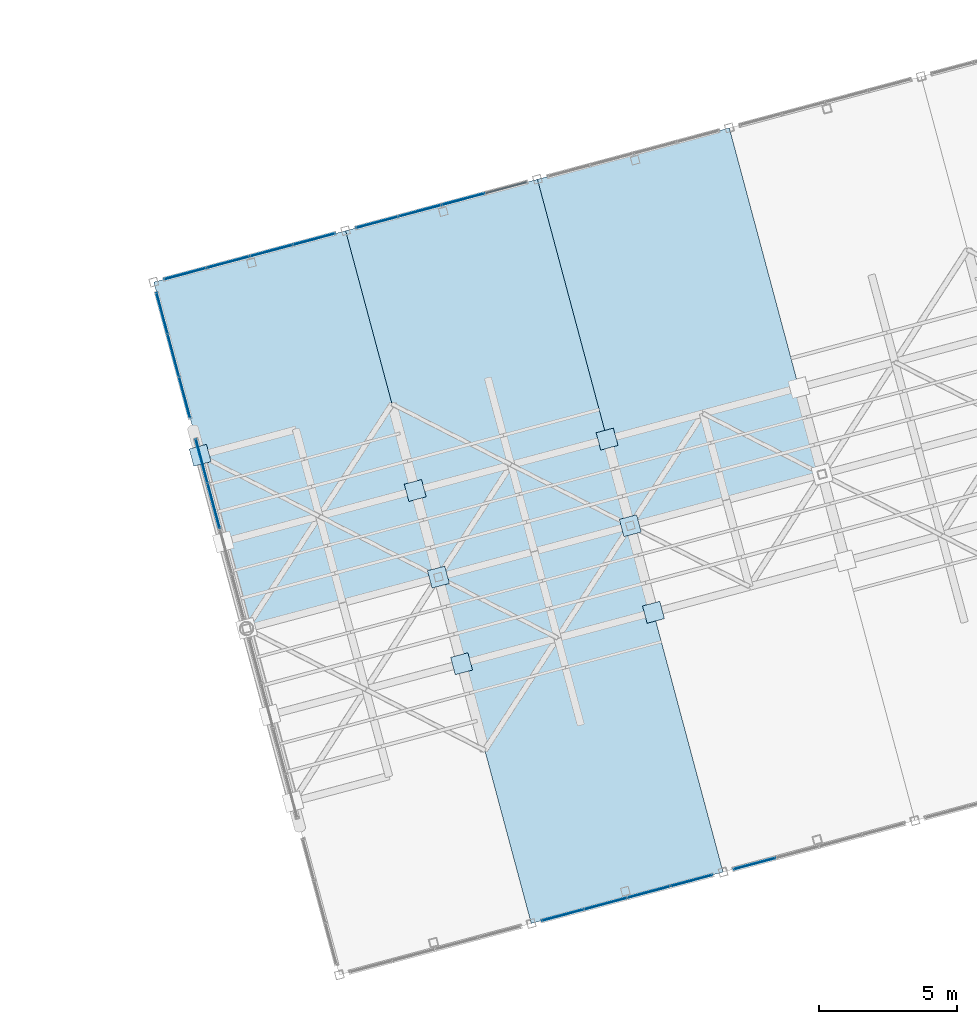
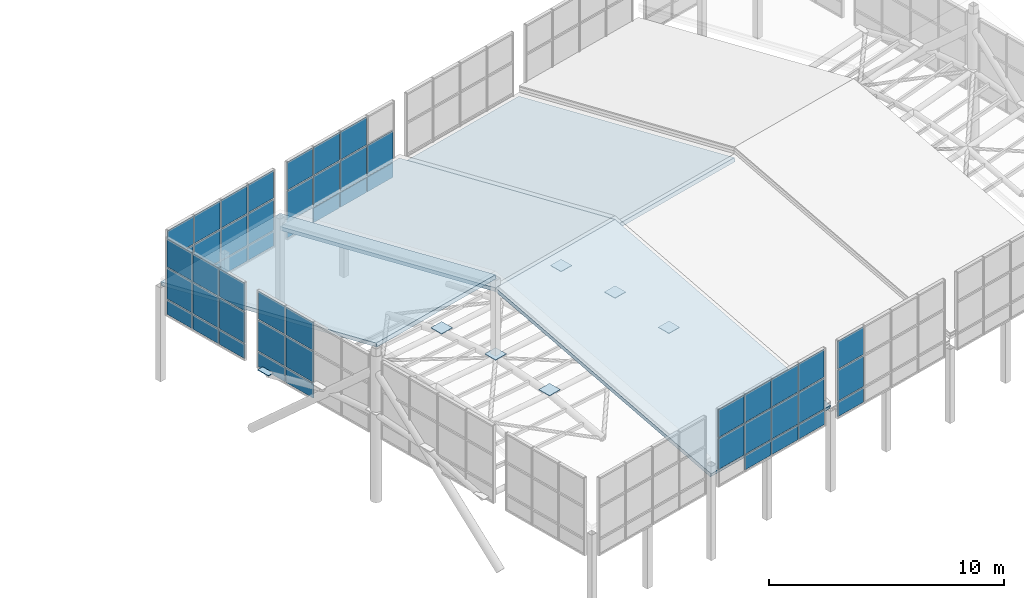
# One storey, part 24 of 28: 59 plates, 4 slabs, 6 elements without a shape of their own.
"""IFC4 building model written with IfcOpenShell, lengths in metres."""

from ifc_helpers import new_model, si_unit, direction, frame, origin, origin_2d, place, context, subcontext, project, spatial, polyline, rectangle, outline, extrude, material, layer, layer_set, type_object, element, aggregate, save


model = new_model("IFC4")

# Units and contexts
model_context = context("Model", 3, precision=1e-05, world=origin(), true_north=direction((0.0, 1.0)))
body_context = subcontext(model_context, "Body", "Model", "MODEL_VIEW")
ifc_project = project(units=[si_unit("LENGTHUNIT", "METRE"), si_unit("AREAUNIT", "SQUARE_METRE"), si_unit("VOLUMEUNIT", "CUBIC_METRE"), si_unit("PLANEANGLEUNIT", "RADIAN"), si_unit("MASSUNIT", "GRAM", prefix="KILO")], contexts=[model_context])

# Site, building, storey
site_placement = place(None, origin())
site = spatial("IfcSite", under=ifc_project, at=site_placement, CompositionType="ELEMENT")
building_placement = place(site_placement, origin())
building = spatial("IfcBuilding", under=site, at=building_placement, Name="Ventoquebrada Cableway Terminal", CompositionType="ELEMENT")
storey_placement = place(building_placement, frame((0.0, 0.0, 23.39990234375)))
storey = spatial("IfcBuildingStorey", under=building, at=storey_placement, Name="RF", CompositionType="ELEMENT", Elevation=23.39990234375)

# Curtain wall, plates
ifc_material_1 = material(Name="Anodized thermally-broken aluminium", Category="aluminium")
ifc_layer_1 = layer(ifc_material_1, 0.159912109375)
ifc_layer_set_1 = layer_set([ifc_layer_1], Name="Anodized thermally-broken aluminium")
curtain_wall_type_1 = type_object("IfcCurtainWallType", Name="CW-T48", PredefinedType="USERDEFINED", material=ifc_layer_set_1)
curtain_wall_1_placement = place(storey_placement, origin())
curtain_wall_1 = element("IfcCurtainWall", 1, at=curtain_wall_1_placement, inside=storey, type_object=curtain_wall_type_1, Name="Unitised glazed curtain wall CW-152", ObjectType="UNITISED CURTAIN WALL", PredefinedType="USERDEFINED")
ifc_material_2 = material(Name="Double low-e laminated safety glazing", Category="glass")
ifc_layer_2 = layer(ifc_material_2, 0.031982421875)
ifc_layer_set_2 = layer_set([ifc_layer_2], Name="Double low-e laminated safety glazing")
plate_type_1 = type_object("IfcPlateType", Name="CWP-GL1", PredefinedType="CURTAIN_PANEL", material=ifc_layer_set_2)
plate_1_placement = place(storey_placement, frame((60.072998046875, 71.952880859375, 2.48876953125), z_axis=(0.0, 0.0, 1.0), x_axis=(0.965894198369, 0.258937053273, 0.0)))
plate_1 = element("IfcPlate", 2, at=plate_1_placement, type_object=plate_type_1, Name="Vision glazing panel PN-1557", PredefinedType="CURTAIN_PANEL", context=body_context, shape_type="SweptSolid", body=[
    extrude(rectangle(XDim=1.5458984375, YDim=0.031982421875, at=origin_2d()), origin(), (0.0, 0.0, 1.0), 1.447021484375),
])
plate_2_placement = place(storey_placement, frame((61.6259765625, 72.368896484375, 0.82470703125), z_axis=(0.0, 0.0, 1.0), x_axis=(0.965894198369, 0.258937053273, 0.0)))
plate_2 = element("IfcPlate", 3, at=plate_2_placement, type_object=plate_type_1, Name="Vision glazing panel PN-1559", PredefinedType="CURTAIN_PANEL", context=body_context, shape_type="SweptSolid", body=[
    extrude(rectangle(XDim=1.5810546875, YDim=0.031982421875, at=origin_2d()), origin(), (0.0, 0.0, 1.0), 1.60498046875),
])
plate_3_placement = place(storey_placement, frame((63.194091796875, 72.7900390625, 2.48876953125), z_axis=(0.0, 0.0, 1.0), x_axis=(0.965894198369, 0.258937053273, 0.0)))
plate_3 = element("IfcPlate", 4, at=plate_3_placement, type_object=plate_type_1, Name="Vision glazing panel PN-1563", PredefinedType="CURTAIN_PANEL", context=body_context, shape_type="SweptSolid", body=[
    extrude(rectangle(XDim=1.5810546875, YDim=0.031982421875, at=origin_2d()), origin(), (0.0, 0.0, 1.0), 1.447021484375),
])
plate_4_placement = place(storey_placement, frame((64.748046875, 73.2060546875, 0.82470703125), z_axis=(0.0, 0.0, 1.0), x_axis=(0.965894198369, 0.258937053273, 0.0)))
plate_4 = element("IfcPlate", 5, at=plate_4_placement, type_object=plate_type_1, Name="Vision glazing panel PN-1565", PredefinedType="CURTAIN_PANEL", context=body_context, shape_type="SweptSolid", body=[
    extrude(rectangle(XDim=1.5458984375, YDim=0.031982421875, at=origin_2d()), origin(), (0.0, 0.0, 1.0), 1.60498046875),
])

# Curtain wall, plate
curtain_wall_2_placement = place(storey_placement, origin())
curtain_wall_2 = element("IfcCurtainWall", 6, at=curtain_wall_2_placement, inside=storey, type_object=curtain_wall_type_1, Name="Unitised glazed curtain wall CW-153", ObjectType="UNITISED CURTAIN WALL", PredefinedType="USERDEFINED")
plate_5_placement = place(storey_placement, frame((67.027099609375, 73.81689453125, 2.48876953125), z_axis=(0.0, 0.0, 1.0), x_axis=(0.965943892913, 0.258751610128, 0.0)))
plate_5 = element("IfcPlate", 7, at=plate_5_placement, type_object=plate_type_1, Name="Vision glazing panel PN-1569", PredefinedType="CURTAIN_PANEL", context=body_context, shape_type="SweptSolid", body=[
    extrude(rectangle(XDim=1.5458984375, YDim=0.031982421875, at=origin_2d()), origin(), (0.0, 0.0, 1.0), 1.447021484375),
])

# Curtain wall, plates
curtain_wall_3_placement = place(storey_placement, origin())
curtain_wall_3 = element("IfcCurtainWall", 8, at=curtain_wall_3_placement, inside=storey, type_object=curtain_wall_type_1, Name="Unitised glazed curtain wall CW-156", ObjectType="UNITISED CURTAIN WALL", PredefinedType="USERDEFINED")
plate_6_placement = place(storey_placement, frame((51.06396484375, 96.4560546875, 2.48876953125), z_axis=(0.0, 0.0, 1.0), x_axis=(-0.96593486019, -0.258785327773, 0.0)))
plate_6 = element("IfcPlate", 9, at=plate_6_placement, type_object=plate_type_1, Name="Vision glazing panel PN-1605", PredefinedType="CURTAIN_PANEL", context=body_context, shape_type="SweptSolid", body=[
    extrude(rectangle(XDim=1.5458984375, YDim=0.031982421875, at=origin_2d()), origin(), (0.0, 0.0, 1.0), 1.447021484375),
])
plate_7_placement = place(storey_placement, frame((49.510986328125, 96.0400390625, 0.82470703125), z_axis=(0.0, 0.0, 1.0), x_axis=(-0.96593486019, -0.258785327773, 0.0)))
plate_7 = element("IfcPlate", 10, at=plate_7_placement, type_object=plate_type_1, Name="Vision glazing panel PN-1607", PredefinedType="CURTAIN_PANEL", context=body_context, shape_type="SweptSolid", body=[
    extrude(rectangle(XDim=1.5810546875, YDim=0.031982421875, at=origin_2d()), origin(), (0.0, 0.0, 1.0), 1.60498046875),
])
plate_8_placement = place(storey_placement, frame((47.94091796875, 95.6201171875, 2.48876953125), z_axis=(0.0, 0.0, 1.0), x_axis=(-0.96593486019, -0.258785327773, 0.0)))
plate_8 = element("IfcPlate", 11, at=plate_8_placement, type_object=plate_type_1, Name="Vision glazing panel PN-1611", PredefinedType="CURTAIN_PANEL", context=body_context, shape_type="SweptSolid", body=[
    extrude(rectangle(XDim=1.5810546875, YDim=0.031982421875, at=origin_2d()), origin(), (0.0, 0.0, 1.0), 1.447021484375),
])
plate_9_placement = place(storey_placement, frame((46.388916015625, 95.2041015625, 0.82470703125), z_axis=(0.0, 0.0, 1.0), x_axis=(-0.96593486019, -0.258785327773, 0.0)))
plate_9 = element("IfcPlate", 12, at=plate_9_placement, type_object=plate_type_1, Name="Vision glazing panel PN-1613", PredefinedType="CURTAIN_PANEL", context=body_context, shape_type="SweptSolid", body=[
    extrude(rectangle(XDim=1.5458984375, YDim=0.031982421875, at=origin_2d()), origin(), (0.0, 0.0, 1.0), 1.60498046875),
])

curtain_wall_4_placement = place(storey_placement, origin())
curtain_wall_4 = element("IfcCurtainWall", 13, at=curtain_wall_4_placement, inside=storey, type_object=curtain_wall_type_1, Name="Unitised glazed curtain wall CW-157", ObjectType="UNITISED CURTAIN WALL", PredefinedType="USERDEFINED")
plate_10_placement = place(storey_placement, frame((56.465087890625, 97.904052734375, 0.82470703125), z_axis=(0.0, 0.0, 1.0), x_axis=(-0.965903236389, -0.258903337047, 0.0)))
plate_10 = element("IfcPlate", 14, at=plate_10_placement, type_object=plate_type_1, Name="Vision glazing panel PN-1619", PredefinedType="CURTAIN_PANEL", context=body_context, shape_type="SweptSolid", body=[
    extrude(rectangle(XDim=1.5810546875, YDim=0.031982421875, at=origin_2d()), origin(), (0.0, 0.0, 1.0), 1.60498046875),
])
plate_11_placement = place(storey_placement, frame((54.89501953125, 97.48291015625, 2.48876953125), z_axis=(0.0, 0.0, 1.0), x_axis=(-0.965903236389, -0.258903337047, 0.0)))
plate_11 = element("IfcPlate", 15, at=plate_11_placement, type_object=plate_type_1, Name="Vision glazing panel PN-1623", PredefinedType="CURTAIN_PANEL", context=body_context, shape_type="SweptSolid", body=[
    extrude(rectangle(XDim=1.5810546875, YDim=0.031982421875, at=origin_2d()), origin(), (0.0, 0.0, 1.0), 1.447021484375),
])
plate_12_placement = place(storey_placement, frame((53.343017578125, 97.06689453125, 0.82470703125), z_axis=(0.0, 0.0, 1.0), x_axis=(-0.965903236389, -0.258903337047, 0.0)))
plate_12 = element("IfcPlate", 16, at=plate_12_placement, type_object=plate_type_1, Name="Vision glazing panel PN-1625", PredefinedType="CURTAIN_PANEL", context=body_context, shape_type="SweptSolid", body=[
    extrude(rectangle(XDim=1.5458984375, YDim=0.031982421875, at=origin_2d()), origin(), (0.0, 0.0, 1.0), 1.60498046875),
])

ifc_layer_3 = layer(ifc_material_1, 0.159912109375)
ifc_layer_set_3 = layer_set([ifc_layer_3], Name="Anodized thermally-broken aluminium")
curtain_wall_type_2 = type_object("IfcCurtainWallType", Name="CW-T50", PredefinedType="USERDEFINED", material=ifc_layer_set_3)
curtain_wall_5_placement = place(storey_placement, origin())
curtain_wall_5 = element("IfcCurtainWall", 17, at=curtain_wall_5_placement, inside=storey, type_object=curtain_wall_type_2, Name="Unitised glazed curtain wall CW-163", ObjectType="UNITISED CURTAIN WALL", PredefinedType="USERDEFINED")
plate_13_placement = place(storey_placement, frame((46.988037109375, 88.409912109375, 2.48876953125), z_axis=(0.0, 0.0, 1.0), x_axis=(0.258802186477, -0.965930343386, 0.0)))
plate_13 = element("IfcPlate", 18, at=plate_13_placement, type_object=plate_type_1, Name="Vision glazing panel PN-1686", PredefinedType="CURTAIN_PANEL", context=body_context, shape_type="SweptSolid", body=[
    extrude(rectangle(XDim=1.62109375, YDim=0.031982421875, at=origin_2d()), origin(), (0.0, 0.0, 1.0), 1.447021484375),
])
plate_14_placement = place(storey_placement, frame((47.423095703125, 86.784912109375, 0.82470703125), z_axis=(0.0, 0.0, 1.0), x_axis=(0.258802186477, -0.965930343386, 0.0)))
plate_14 = element("IfcPlate", 19, at=plate_14_placement, type_object=plate_type_1, Name="Vision glazing panel PN-1688", PredefinedType="CURTAIN_PANEL", context=body_context, shape_type="SweptSolid", body=[
    extrude(rectangle(XDim=1.656005859375, YDim=0.031982421875, at=origin_2d()), origin(), (0.0, 0.0, 1.0), 1.60498046875),
])

ifc_layer_4 = layer(ifc_material_1, 0.159912109375)
ifc_layer_set_4 = layer_set([ifc_layer_4], Name="Anodized thermally-broken aluminium")
curtain_wall_type_3 = type_object("IfcCurtainWallType", Name="CW-T49", PredefinedType="USERDEFINED", material=ifc_layer_set_4)
curtain_wall_6_placement = place(storey_placement, origin())
curtain_wall_6 = element("IfcCurtainWall", 20, at=curtain_wall_6_placement, inside=storey, type_object=curtain_wall_type_3, Name="Unitised glazed curtain wall CW-164", ObjectType="UNITISED CURTAIN WALL", PredefinedType="USERDEFINED")
plate_15_placement = place(storey_placement, frame((45.551025390625, 93.77001953125, 2.48876953125), z_axis=(0.0, 0.0, 1.0), x_axis=(0.258970769183, -0.965885159172, 0.0)))
plate_15 = element("IfcPlate", 21, at=plate_15_placement, type_object=plate_type_1, Name="Vision glazing panel PN-1698", PredefinedType="CURTAIN_PANEL", context=body_context, shape_type="SweptSolid", body=[
    extrude(rectangle(XDim=1.52099609375, YDim=0.031982421875, at=origin_2d()), origin(), (0.0, 0.0, 1.0), 1.447021484375),
])
plate_16_placement = place(storey_placement, frame((45.9599609375, 92.241943359375, 0.82470703125), z_axis=(0.0, 0.0, 1.0), x_axis=(0.258970769183, -0.965885159172, 0.0)))
plate_16 = element("IfcPlate", 22, at=plate_16_placement, type_object=plate_type_1, Name="Vision glazing panel PN-1700", PredefinedType="CURTAIN_PANEL", context=body_context, shape_type="SweptSolid", body=[
    extrude(rectangle(XDim=1.555908203125, YDim=0.031982421875, at=origin_2d()), origin(), (0.0, 0.0, 1.0), 1.60498046875),
])
plate_17_placement = place(storey_placement, frame((46.3701171875, 90.712890625, 2.48876953125), z_axis=(0.0, 0.0, 1.0), x_axis=(0.258970769183, -0.965885159172, 0.0)))
plate_17 = element("IfcPlate", 23, at=plate_17_placement, type_object=plate_type_1, Name="Vision glazing panel PN-1704", PredefinedType="CURTAIN_PANEL", context=body_context, shape_type="SweptSolid", body=[
    extrude(rectangle(XDim=1.52099609375, YDim=0.031982421875, at=origin_2d()), origin(), (0.0, 0.0, 1.0), 1.447021484375),
])

# Plate
ifc_layer_5 = layer(ifc_material_2, 0.0380859375)
ifc_layer_set_5 = layer_set([ifc_layer_5], Name="Double low-e laminated safety glazing")
plate_type_2 = type_object("IfcPlateType", Name="CWP-GL2", PredefinedType="CURTAIN_PANEL", material=ifc_layer_set_5)
plate_18_placement = place(storey_placement, frame((60.072998046875, 71.952880859375, 0.82470703125), z_axis=(0.0, 0.0, 1.0), x_axis=(0.965894198369, 0.258937053273, 0.0)))
plate_18 = element("IfcPlate", 24, at=plate_18_placement, type_object=plate_type_2, Name="Vision glazing panel PN-1556", PredefinedType="CURTAIN_PANEL", context=body_context, shape_type="SweptSolid", body=[
    extrude(rectangle(XDim=1.5458984375, YDim=0.0380859375, at=origin_2d()), origin(), (0.0, 0.0, 1.0), 1.60498046875),
])

plate_19_placement = place(storey_placement, frame((61.6259765625, 72.368896484375, 2.48876953125), z_axis=(0.0, 0.0, 1.0), x_axis=(0.965894198369, 0.258937053273, 0.0)))
plate_19 = element("IfcPlate", 25, at=plate_19_placement, type_object=plate_type_2, Name="Vision glazing panel PN-1560", PredefinedType="CURTAIN_PANEL", context=body_context, shape_type="SweptSolid", body=[
    extrude(rectangle(XDim=1.5810546875, YDim=0.0380859375, at=origin_2d()), origin(), (0.0, 0.0, 1.0), 1.447021484375),
])

plate_20_placement = place(storey_placement, frame((63.194091796875, 72.7900390625, 0.82470703125), z_axis=(0.0, 0.0, 1.0), x_axis=(0.965894198369, 0.258937053273, 0.0)))
plate_20 = element("IfcPlate", 26, at=plate_20_placement, type_object=plate_type_2, Name="Vision glazing panel PN-1562", PredefinedType="CURTAIN_PANEL", context=body_context, shape_type="SweptSolid", body=[
    extrude(rectangle(XDim=1.5810546875, YDim=0.0380859375, at=origin_2d()), origin(), (0.0, 0.0, 1.0), 1.60498046875),
])

plate_21_placement = place(storey_placement, frame((64.748046875, 73.2060546875, 2.48876953125), z_axis=(0.0, 0.0, 1.0), x_axis=(0.965894198369, 0.258937053273, 0.0)))
plate_21 = element("IfcPlate", 27, at=plate_21_placement, type_object=plate_type_2, Name="Vision glazing panel PN-1566", PredefinedType="CURTAIN_PANEL", context=body_context, shape_type="SweptSolid", body=[
    extrude(rectangle(XDim=1.5458984375, YDim=0.0380859375, at=origin_2d()), origin(), (0.0, 0.0, 1.0), 1.447021484375),
])

plate_22_placement = place(storey_placement, frame((67.027099609375, 73.81689453125, 0.82470703125), z_axis=(0.0, 0.0, 1.0), x_axis=(0.965943892913, 0.258751610128, 0.0)))
plate_22 = element("IfcPlate", 28, at=plate_22_placement, type_object=plate_type_2, Name="Vision glazing panel PN-1568", PredefinedType="CURTAIN_PANEL", context=body_context, shape_type="SweptSolid", body=[
    extrude(rectangle(XDim=1.5458984375, YDim=0.0380859375, at=origin_2d()), origin(), (0.0, 0.0, 1.0), 1.60498046875),
])

plate_23_placement = place(storey_placement, frame((51.06396484375, 96.4560546875, 0.82470703125), z_axis=(0.0, 0.0, 1.0), x_axis=(-0.96593486019, -0.258785327773, 0.0)))
plate_23 = element("IfcPlate", 29, at=plate_23_placement, type_object=plate_type_2, Name="Vision glazing panel PN-1604", PredefinedType="CURTAIN_PANEL", context=body_context, shape_type="SweptSolid", body=[
    extrude(rectangle(XDim=1.5458984375, YDim=0.0380859375, at=origin_2d()), origin(), (0.0, 0.0, 1.0), 1.60498046875),
])

plate_24_placement = place(storey_placement, frame((49.510986328125, 96.0400390625, 2.48876953125), z_axis=(0.0, 0.0, 1.0), x_axis=(-0.96593486019, -0.258785327773, 0.0)))
plate_24 = element("IfcPlate", 30, at=plate_24_placement, type_object=plate_type_2, Name="Vision glazing panel PN-1608", PredefinedType="CURTAIN_PANEL", context=body_context, shape_type="SweptSolid", body=[
    extrude(rectangle(XDim=1.5810546875, YDim=0.0380859375, at=origin_2d()), origin(), (0.0, 0.0, 1.0), 1.447021484375),
])

plate_25_placement = place(storey_placement, frame((47.94091796875, 95.6201171875, 0.82470703125), z_axis=(0.0, 0.0, 1.0), x_axis=(-0.96593486019, -0.258785327773, 0.0)))
plate_25 = element("IfcPlate", 31, at=plate_25_placement, type_object=plate_type_2, Name="Vision glazing panel PN-1610", PredefinedType="CURTAIN_PANEL", context=body_context, shape_type="SweptSolid", body=[
    extrude(rectangle(XDim=1.5810546875, YDim=0.0380859375, at=origin_2d()), origin(), (0.0, 0.0, 1.0), 1.60498046875),
])

plate_26_placement = place(storey_placement, frame((46.388916015625, 95.2041015625, 2.48876953125), z_axis=(0.0, 0.0, 1.0), x_axis=(-0.96593486019, -0.258785327773, 0.0)))
plate_26 = element("IfcPlate", 32, at=plate_26_placement, type_object=plate_type_2, Name="Vision glazing panel PN-1614", PredefinedType="CURTAIN_PANEL", context=body_context, shape_type="SweptSolid", body=[
    extrude(rectangle(XDim=1.5458984375, YDim=0.0380859375, at=origin_2d()), origin(), (0.0, 0.0, 1.0), 1.447021484375),
])

plate_27_placement = place(storey_placement, frame((58.01806640625, 98.320068359375, 0.82470703125), z_axis=(0.0, 0.0, 1.0), x_axis=(-0.965903236389, -0.258903337047, 0.0)))
plate_27 = element("IfcPlate", 33, at=plate_27_placement, type_object=plate_type_2, Name="Vision glazing panel PN-1616", PredefinedType="CURTAIN_PANEL", context=body_context, shape_type="SweptSolid", body=[
    extrude(rectangle(XDim=1.5458984375, YDim=0.0380859375, at=origin_2d()), origin(), (0.0, 0.0, 1.0), 1.60498046875),
])

plate_28_placement = place(storey_placement, frame((56.465087890625, 97.904052734375, 2.48876953125), z_axis=(0.0, 0.0, 1.0), x_axis=(-0.965903236389, -0.258903337047, 0.0)))
plate_28 = element("IfcPlate", 34, at=plate_28_placement, type_object=plate_type_2, Name="Vision glazing panel PN-1620", PredefinedType="CURTAIN_PANEL", context=body_context, shape_type="SweptSolid", body=[
    extrude(rectangle(XDim=1.5810546875, YDim=0.0380859375, at=origin_2d()), origin(), (0.0, 0.0, 1.0), 1.447021484375),
])

plate_29_placement = place(storey_placement, frame((54.89501953125, 97.48291015625, 0.82470703125), z_axis=(0.0, 0.0, 1.0), x_axis=(-0.965903236389, -0.258903337047, 0.0)))
plate_29 = element("IfcPlate", 35, at=plate_29_placement, type_object=plate_type_2, Name="Vision glazing panel PN-1622", PredefinedType="CURTAIN_PANEL", context=body_context, shape_type="SweptSolid", body=[
    extrude(rectangle(XDim=1.5810546875, YDim=0.0380859375, at=origin_2d()), origin(), (0.0, 0.0, 1.0), 1.60498046875),
])

plate_30_placement = place(storey_placement, frame((53.343017578125, 97.06689453125, 2.48876953125), z_axis=(0.0, 0.0, 1.0), x_axis=(-0.965903236389, -0.258903337047, 0.0)))
plate_30 = element("IfcPlate", 36, at=plate_30_placement, type_object=plate_type_2, Name="Vision glazing panel PN-1626", PredefinedType="CURTAIN_PANEL", context=body_context, shape_type="SweptSolid", body=[
    extrude(rectangle(XDim=1.5458984375, YDim=0.0380859375, at=origin_2d()), origin(), (0.0, 0.0, 1.0), 1.447021484375),
])

plate_31_placement = place(storey_placement, frame((46.988037109375, 88.409912109375, 0.82470703125), z_axis=(0.0, 0.0, 1.0), x_axis=(0.258802186477, -0.965930343386, 0.0)))
plate_31 = element("IfcPlate", 37, at=plate_31_placement, type_object=plate_type_2, Name="Vision glazing panel PN-1685", PredefinedType="CURTAIN_PANEL", context=body_context, shape_type="SweptSolid", body=[
    extrude(rectangle(XDim=1.62109375, YDim=0.0380859375, at=origin_2d()), origin(), (0.0, 0.0, 1.0), 1.60498046875),
])

plate_32_placement = place(storey_placement, frame((47.423095703125, 86.784912109375, 2.48876953125), z_axis=(0.0, 0.0, 1.0), x_axis=(0.258802186477, -0.965930343386, 0.0)))
plate_32 = element("IfcPlate", 38, at=plate_32_placement, type_object=plate_type_2, Name="Vision glazing panel PN-1689", PredefinedType="CURTAIN_PANEL", context=body_context, shape_type="SweptSolid", body=[
    extrude(rectangle(XDim=1.656005859375, YDim=0.0380859375, at=origin_2d()), origin(), (0.0, 0.0, 1.0), 1.447021484375),
])

plate_33_placement = place(storey_placement, frame((45.551025390625, 93.77001953125, 0.82470703125), z_axis=(0.0, 0.0, 1.0), x_axis=(0.258970769183, -0.965885159172, 0.0)))
plate_33 = element("IfcPlate", 39, at=plate_33_placement, type_object=plate_type_2, Name="Vision glazing panel PN-1697", PredefinedType="CURTAIN_PANEL", context=body_context, shape_type="SweptSolid", body=[
    extrude(rectangle(XDim=1.52099609375, YDim=0.0380859375, at=origin_2d()), origin(), (0.0, 0.0, 1.0), 1.60498046875),
])

plate_34_placement = place(storey_placement, frame((45.9599609375, 92.241943359375, 2.48876953125), z_axis=(0.0, 0.0, 1.0), x_axis=(0.258970769183, -0.965885159172, 0.0)))
plate_34 = element("IfcPlate", 40, at=plate_34_placement, type_object=plate_type_2, Name="Vision glazing panel PN-1701", PredefinedType="CURTAIN_PANEL", context=body_context, shape_type="SweptSolid", body=[
    extrude(rectangle(XDim=1.555908203125, YDim=0.0380859375, at=origin_2d()), origin(), (0.0, 0.0, 1.0), 1.447021484375),
])

plate_35_placement = place(storey_placement, frame((46.3701171875, 90.712890625, 0.82470703125), z_axis=(0.0, 0.0, 1.0), x_axis=(0.258970769183, -0.965885159172, 0.0)))
plate_35 = element("IfcPlate", 41, at=plate_35_placement, type_object=plate_type_2, Name="Vision glazing panel PN-1703", PredefinedType="CURTAIN_PANEL", context=body_context, shape_type="SweptSolid", body=[
    extrude(rectangle(XDim=1.52099609375, YDim=0.0380859375, at=origin_2d()), origin(), (0.0, 0.0, 1.0), 1.60498046875),
])

ifc_material_3 = material(Name="Insulated aluminium spandrel cassette", Category="aluminium")
ifc_layer_6 = layer(ifc_material_3, 0.044921875)
ifc_layer_set_6 = layer_set([ifc_layer_6], Name="Insulated aluminium spandrel cassette")
plate_type_3 = type_object("IfcPlateType", Name="CWP-SP1", PredefinedType="CURTAIN_PANEL", material=ifc_layer_set_6)
plate_36_placement = place(storey_placement, frame((61.6259765625, 72.368896484375, 0.01025390625), z_axis=(0.0, 0.0, 1.0), x_axis=(0.965894198369, 0.258937053273, 0.0)))
plate_36 = element("IfcPlate", 42, at=plate_36_placement, type_object=plate_type_3, Name="Insulated spandrel panel PN-1558", PredefinedType="CURTAIN_PANEL", context=body_context, shape_type="SweptSolid", body=[
    extrude(rectangle(XDim=1.5810546875, YDim=0.044921875, at=origin_2d()), origin(), (0.0, 0.0, 1.0), 0.756103515625),
])

plate_37_placement = place(storey_placement, frame((63.194091796875, 72.7900390625, 0.01025390625), z_axis=(0.0, 0.0, 1.0), x_axis=(0.965894198369, 0.258937053273, 0.0)))
plate_37 = element("IfcPlate", 43, at=plate_37_placement, type_object=plate_type_3, Name="Insulated spandrel panel PN-1561", PredefinedType="CURTAIN_PANEL", context=body_context, shape_type="SweptSolid", body=[
    extrude(rectangle(XDim=1.5810546875, YDim=0.044921875, at=origin_2d()), origin(), (0.0, 0.0, 1.0), 0.756103515625),
])

plate_38_placement = place(storey_placement, frame((64.748046875, 73.2060546875, 0.01025390625), z_axis=(0.0, 0.0, 1.0), x_axis=(0.965894198369, 0.258937053273, 0.0)))
plate_38 = element("IfcPlate", 44, at=plate_38_placement, type_object=plate_type_3, Name="Insulated spandrel panel PN-1564", PredefinedType="CURTAIN_PANEL", context=body_context, shape_type="SweptSolid", body=[
    extrude(rectangle(XDim=1.5458984375, YDim=0.044921875, at=origin_2d()), origin(), (0.0, 0.0, 1.0), 0.756103515625),
])

aggregate(curtain_wall_1, [plate_18, plate_1, plate_36, plate_2, plate_19, plate_37, plate_20, plate_3, plate_38, plate_4, plate_21])

plate_39_placement = place(storey_placement, frame((67.027099609375, 73.81689453125, 0.01025390625), z_axis=(0.0, 0.0, 1.0), x_axis=(0.965943892913, 0.258751610128, 0.0)))
plate_39 = element("IfcPlate", 45, at=plate_39_placement, type_object=plate_type_3, Name="Insulated spandrel panel PN-1567", PredefinedType="CURTAIN_PANEL", context=body_context, shape_type="SweptSolid", body=[
    extrude(rectangle(XDim=1.5458984375, YDim=0.044921875, at=origin_2d()), origin(), (0.0, 0.0, 1.0), 0.756103515625),
])

aggregate(curtain_wall_2, [plate_39, plate_22, plate_5])

plate_40_placement = place(storey_placement, frame((51.06396484375, 96.4560546875, 0.01025390625), z_axis=(0.0, 0.0, 1.0), x_axis=(-0.96593486019, -0.258785327773, 0.0)))
plate_40 = element("IfcPlate", 46, at=plate_40_placement, type_object=plate_type_3, Name="Insulated spandrel panel PN-1603", PredefinedType="CURTAIN_PANEL", context=body_context, shape_type="SweptSolid", body=[
    extrude(rectangle(XDim=1.5458984375, YDim=0.044921875, at=origin_2d()), origin(), (0.0, 0.0, 1.0), 0.756103515625),
])

plate_41_placement = place(storey_placement, frame((49.510986328125, 96.0400390625, 0.01025390625), z_axis=(0.0, 0.0, 1.0), x_axis=(-0.96593486019, -0.258785327773, 0.0)))
plate_41 = element("IfcPlate", 47, at=plate_41_placement, type_object=plate_type_3, Name="Insulated spandrel panel PN-1606", PredefinedType="CURTAIN_PANEL", context=body_context, shape_type="SweptSolid", body=[
    extrude(rectangle(XDim=1.5810546875, YDim=0.044921875, at=origin_2d()), origin(), (0.0, 0.0, 1.0), 0.756103515625),
])

plate_42_placement = place(storey_placement, frame((47.94091796875, 95.6201171875, 0.01025390625), z_axis=(0.0, 0.0, 1.0), x_axis=(-0.96593486019, -0.258785327773, 0.0)))
plate_42 = element("IfcPlate", 48, at=plate_42_placement, type_object=plate_type_3, Name="Insulated spandrel panel PN-1609", PredefinedType="CURTAIN_PANEL", context=body_context, shape_type="SweptSolid", body=[
    extrude(rectangle(XDim=1.5810546875, YDim=0.044921875, at=origin_2d()), origin(), (0.0, 0.0, 1.0), 0.756103515625),
])

plate_43_placement = place(storey_placement, frame((46.388916015625, 95.2041015625, 0.01025390625), z_axis=(0.0, 0.0, 1.0), x_axis=(-0.96593486019, -0.258785327773, 0.0)))
plate_43 = element("IfcPlate", 49, at=plate_43_placement, type_object=plate_type_3, Name="Insulated spandrel panel PN-1612", PredefinedType="CURTAIN_PANEL", context=body_context, shape_type="SweptSolid", body=[
    extrude(rectangle(XDim=1.5458984375, YDim=0.044921875, at=origin_2d()), origin(), (0.0, 0.0, 1.0), 0.756103515625),
])

aggregate(curtain_wall_3, [plate_40, plate_23, plate_6, plate_41, plate_7, plate_24, plate_42, plate_25, plate_8, plate_43, plate_9, plate_26])

plate_44_placement = place(storey_placement, frame((58.01806640625, 98.320068359375, 0.01025390625), z_axis=(0.0, 0.0, 1.0), x_axis=(-0.965903236389, -0.258903337047, 0.0)))
plate_44 = element("IfcPlate", 50, at=plate_44_placement, type_object=plate_type_3, Name="Insulated spandrel panel PN-1615", PredefinedType="CURTAIN_PANEL", context=body_context, shape_type="SweptSolid", body=[
    extrude(rectangle(XDim=1.5458984375, YDim=0.044921875, at=origin_2d()), origin(), (0.0, 0.0, 1.0), 0.756103515625),
])

plate_45_placement = place(storey_placement, frame((56.465087890625, 97.904052734375, 0.01025390625), z_axis=(0.0, 0.0, 1.0), x_axis=(-0.965903236389, -0.258903337047, 0.0)))
plate_45 = element("IfcPlate", 51, at=plate_45_placement, type_object=plate_type_3, Name="Insulated spandrel panel PN-1618", PredefinedType="CURTAIN_PANEL", context=body_context, shape_type="SweptSolid", body=[
    extrude(rectangle(XDim=1.5810546875, YDim=0.044921875, at=origin_2d()), origin(), (0.0, 0.0, 1.0), 0.756103515625),
])

plate_46_placement = place(storey_placement, frame((54.89501953125, 97.48291015625, 0.01025390625), z_axis=(0.0, 0.0, 1.0), x_axis=(-0.965903236389, -0.258903337047, 0.0)))
plate_46 = element("IfcPlate", 52, at=plate_46_placement, type_object=plate_type_3, Name="Insulated spandrel panel PN-1621", PredefinedType="CURTAIN_PANEL", context=body_context, shape_type="SweptSolid", body=[
    extrude(rectangle(XDim=1.5810546875, YDim=0.044921875, at=origin_2d()), origin(), (0.0, 0.0, 1.0), 0.756103515625),
])

plate_47_placement = place(storey_placement, frame((53.343017578125, 97.06689453125, 0.01025390625), z_axis=(0.0, 0.0, 1.0), x_axis=(-0.965903236389, -0.258903337047, 0.0)))
plate_47 = element("IfcPlate", 53, at=plate_47_placement, type_object=plate_type_3, Name="Insulated spandrel panel PN-1624", PredefinedType="CURTAIN_PANEL", context=body_context, shape_type="SweptSolid", body=[
    extrude(rectangle(XDim=1.5458984375, YDim=0.044921875, at=origin_2d()), origin(), (0.0, 0.0, 1.0), 0.756103515625),
])

aggregate(curtain_wall_4, [plate_44, plate_27, plate_45, plate_10, plate_28, plate_46, plate_29, plate_11, plate_47, plate_12, plate_30])

plate_48_placement = place(storey_placement, frame((46.988037109375, 88.409912109375, 0.01025390625), z_axis=(0.0, 0.0, 1.0), x_axis=(0.258802186477, -0.965930343386, 0.0)))
plate_48 = element("IfcPlate", 54, at=plate_48_placement, type_object=plate_type_3, Name="Insulated spandrel panel PN-1684", PredefinedType="CURTAIN_PANEL", context=body_context, shape_type="SweptSolid", body=[
    extrude(rectangle(XDim=1.62109375, YDim=0.044921875, at=origin_2d()), origin(), (0.0, 0.0, 1.0), 0.756103515625),
])

plate_49_placement = place(storey_placement, frame((47.423095703125, 86.784912109375, 0.01025390625), z_axis=(0.0, 0.0, 1.0), x_axis=(0.258802186477, -0.965930343386, 0.0)))
plate_49 = element("IfcPlate", 55, at=plate_49_placement, type_object=plate_type_3, Name="Insulated spandrel panel PN-1687", PredefinedType="CURTAIN_PANEL", context=body_context, shape_type="SweptSolid", body=[
    extrude(rectangle(XDim=1.656005859375, YDim=0.044921875, at=origin_2d()), origin(), (0.0, 0.0, 1.0), 0.756103515625),
])

aggregate(curtain_wall_5, [plate_48, plate_31, plate_13, plate_49, plate_14, plate_32])

plate_50_placement = place(storey_placement, frame((45.551025390625, 93.77001953125, 0.01025390625), z_axis=(0.0, 0.0, 1.0), x_axis=(0.258970769183, -0.965885159172, 0.0)))
plate_50 = element("IfcPlate", 56, at=plate_50_placement, type_object=plate_type_3, Name="Insulated spandrel panel PN-1696", PredefinedType="CURTAIN_PANEL", context=body_context, shape_type="SweptSolid", body=[
    extrude(rectangle(XDim=1.52099609375, YDim=0.044921875, at=origin_2d()), origin(), (0.0, 0.0, 1.0), 0.756103515625),
])

plate_51_placement = place(storey_placement, frame((45.9599609375, 92.241943359375, 0.01025390625), z_axis=(0.0, 0.0, 1.0), x_axis=(0.258970769183, -0.965885159172, 0.0)))
plate_51 = element("IfcPlate", 57, at=plate_51_placement, type_object=plate_type_3, Name="Insulated spandrel panel PN-1699", PredefinedType="CURTAIN_PANEL", context=body_context, shape_type="SweptSolid", body=[
    extrude(rectangle(XDim=1.555908203125, YDim=0.044921875, at=origin_2d()), origin(), (0.0, 0.0, 1.0), 0.756103515625),
])

plate_52_placement = place(storey_placement, frame((46.3701171875, 90.712890625, 0.01025390625), z_axis=(0.0, 0.0, 1.0), x_axis=(0.258970769183, -0.965885159172, 0.0)))
plate_52 = element("IfcPlate", 58, at=plate_52_placement, type_object=plate_type_3, Name="Insulated spandrel panel PN-1702", PredefinedType="CURTAIN_PANEL", context=body_context, shape_type="SweptSolid", body=[
    extrude(rectangle(XDim=1.52099609375, YDim=0.044921875, at=origin_2d()), origin(), (0.0, 0.0, 1.0), 0.756103515625),
])

aggregate(curtain_wall_6, [plate_50, plate_33, plate_15, plate_51, plate_16, plate_34, plate_52, plate_35, plate_17])

# Plates
ifc_material_4 = material(Name="Steel ASTM A572 Grade 50", Category="steel")
ifc_layer_7 = layer(ifc_material_4, 0.030029296875)
ifc_layer_set_7 = layer_set([ifc_layer_7], Name="Steel ASTM A572 Grade 50")
plate_type_4 = type_object("IfcPlateType", Name="ND-PL01", PredefinedType="SHEET", material=ifc_layer_set_7)
for number, where, z_axis, x_axis, name in (
    (59, (46.930908203125, 88.6201171875, 0.10498046875), (0.0, 0.0, 1.0), (0.965925826289, 0.258819045103, 0.0), "Gridshell welded node cap plate ND-006"),
    (60, (56.408935546875, 81.06494140625, 0.333984375), (0.0, 0.0, 1.0), (0.965925826289, 0.258819045103, 0.0), "Gridshell welded node cap plate ND-010"),
    (61, (55.568115234375, 84.205078125, 0.583984375), (0.0, 0.0, 1.0), (0.965925826289, 0.258819045103, 0.0), "Gridshell welded node cap plate ND-011"),
    (62, (54.72705078125, 87.343994140625, 0.333984375), (0.0, 0.0, 1.0), (0.965925826289, 0.258819045103, 0.0), "Gridshell welded node cap plate ND-012"),
    (63, (63.364013671875, 82.928955078125, 0.01123046875), (0.0, 0.0, 1.0), (0.965925826289, 0.258819045103, 0.0), "Gridshell welded node cap plate ND-017"),
    (64, (62.52294921875, 86.068115234375, 0.23828125), (0.0, 0.0, 1.0), (0.965925826289, 0.258819045103, 0.0), "Gridshell welded node cap plate ND-018"),
    (65, (61.681884765625, 89.2080078125, 0.01123046875), (0.0, 0.0, 1.0), (0.965925826289, 0.258819045103, 0.0), "Gridshell welded node cap plate ND-019"),
):
    element("IfcPlate", number, at=place(storey_placement, frame(where, z_axis=z_axis, x_axis=x_axis)), inside=storey, type_object=plate_type_4, Name=name, PredefinedType="SHEET", context=body_context, shape_type="SweptSolid", body=[
        extrude(rectangle(XDim=0.64990234375, YDim=0.64990234375, at=origin_2d()), origin(), (0.0, 0.0, 1.0), 0.030029296875),
    ])

# Slabs
ifc_material_5 = material(Name="Concrete C45/55", Category="concrete")
ifc_layer_8 = layer(ifc_material_5, 0.260009765625)
ifc_layer_set_8 = layer_set([ifc_layer_8], Name="Concrete C45/55")
slab_type = type_object("IfcSlabType", Name="SL-RF3", PredefinedType="ROOF", material=ifc_layer_set_8)
slab_1_placement = place(storey_placement, frame((48.625, 82.296630859375, 4.546875), z_axis=(-0.062631575433, 0.233672788736, 0.970295992759), x_axis=(0.965911392535, 0.258872906547, 5.151255e-06)))
element("IfcSlab", 66, at=slab_1_placement, inside=storey, type_object=slab_type, Name="Saddle gridshell structural roof deck SL-094", PredefinedType="ROOF", context=body_context, shape_type="SweptSolid", body=[
    extrude(outline(polyline([(0.0, 0.0), (7.200531833991786, 0.0), (7.200634172777541, 13.397970209897538), (0.001281429841095847, 13.397663591074116), (0.0, 0.0)])), origin(), (0.0, 0.0, 1.0), 0.18994140625),
])
slab_2_placement = place(storey_placement, frame((58.921142578125, 71.6923828125, 0.61474609375), z_axis=(0.062596620047, -0.233660689562, 0.970301162172), x_axis=(0.965934542987, 0.258786511718, 4.119545e-06)))
element("IfcSlab", 67, at=slab_2_placement, inside=storey, type_object=slab_type, Name="Saddle gridshell structural roof deck SL-095", PredefinedType="ROOF", context=body_context, shape_type="SweptSolid", body=[
    extrude(outline(polyline([(0.0, 0.0), (7.199099965533204, 0.0), (7.199311894945746, 13.397833410120429), (-0.0007313660395942995, 13.398078626737274), (0.0, 0.0)])), origin(), (0.0, 0.0, 1.0), 0.18994140625),
])
slab_3_placement = place(storey_placement, frame((55.580078125, 84.16064453125, 3.855712890625), z_axis=(-0.062591847683, 0.233663381059, 0.970300821888), x_axis=(0.965943426508, 0.258753351253, -1.029673e-06)))
element("IfcSlab", 68, at=slab_3_placement, inside=storey, type_object=slab_type, Name="Saddle gridshell structural roof deck SL-096", PredefinedType="ROOF", context=body_context, shape_type="SweptSolid", body=[
    extrude(outline(polyline([(0.0, 0.0), (7.200043265221912, -2.220446049250313e-16), (7.198792419605277, 13.397849771825229), (-0.0014866716484983745, 13.3979110679263), (0.0, 0.0)])), origin(), (0.0, 0.0, 1.0), 0.18994140625),
])
slab_4_placement = place(storey_placement, frame((62.534912109375, 86.023681640625, 3.509765625), z_axis=(-0.062621890363, 0.233656057224, 0.970300647104), x_axis=(0.965911132134, 0.25887387821, -2.76908e-07)))
element("IfcSlab", 69, at=slab_4_placement, inside=storey, type_object=slab_type, Name="Saddle gridshell structural roof deck SL-098", PredefinedType="ROOF", context=body_context, shape_type="SweptSolid", body=[
    extrude(outline(polyline([(0.0, 0.0), (7.199525359853701, -4.440892098500626e-16), (7.200900662127032, 13.397833341243159), (0.0003688280529341973, 13.397849825141051), (0.0, 0.0)])), origin(), (0.0, 0.0, 1.0), 0.18994140625),
])

save(model, "model.ifc")
